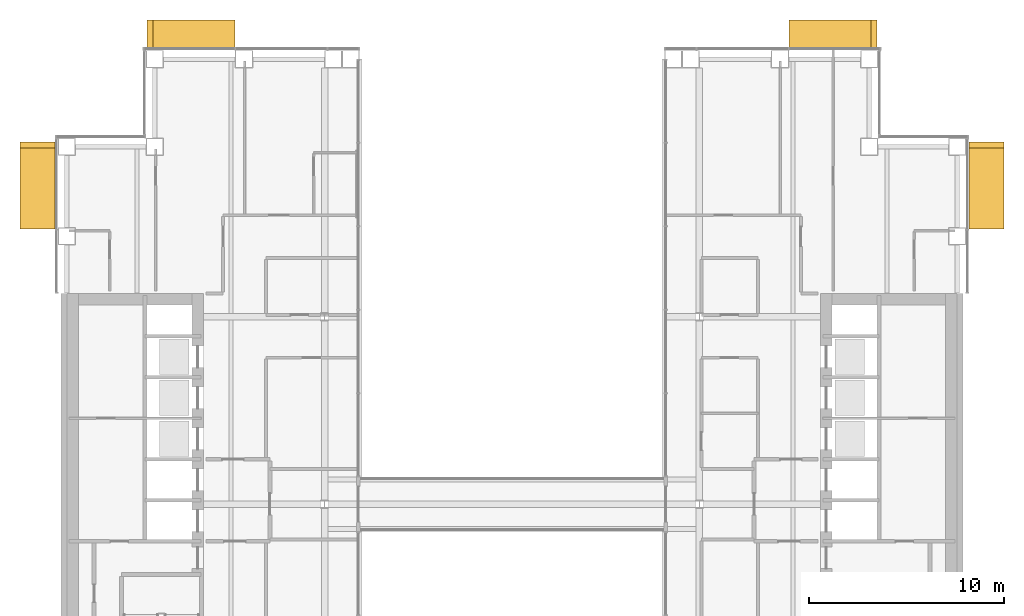
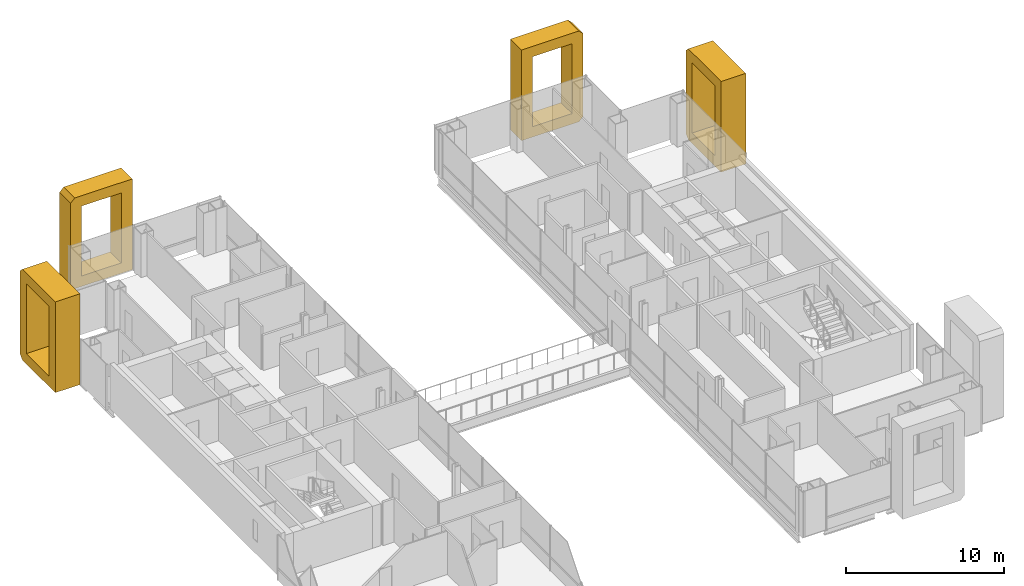
# One storey, part 16 of 17: 4 coverings.
"""IFC4 building model written with IfcOpenShell, lengths in metres."""

from ifc_helpers import new_model, si_unit, direction, frame, origin, place, context, subcontext, project, spatial, polyline, outline, extrude, material, type_object, element, save


model = new_model("IFC4")

# Units and contexts
model_context = context("Model", 3, precision=1e-05, world=origin(), true_north=direction((0.0, 1.0)))
body_context = subcontext(model_context, "Body", "Model", "MODEL_VIEW")
ifc_project = project(units=[si_unit("LENGTHUNIT", "METRE"), si_unit("AREAUNIT", "SQUARE_METRE"), si_unit("VOLUMEUNIT", "CUBIC_METRE"), si_unit("PLANEANGLEUNIT", "RADIAN"), si_unit("MASSUNIT", "GRAM", prefix="KILO")], contexts=[model_context])

# Site, building, storey
site_placement = place(None, origin())
site = spatial("IfcSite", under=ifc_project, at=site_placement, CompositionType="ELEMENT")
building_placement = place(site_placement, origin())
building = spatial("IfcBuilding", under=site, at=building_placement, Name="Cobrizo Arcos Hotel Tower", CompositionType="ELEMENT")
storey_placement = place(building_placement, frame((0.0, 0.0, 131.0)))
storey = spatial("IfcBuildingStorey", under=building, at=storey_placement, Name="L33", CompositionType="ELEMENT", Elevation=131.0)

# Coverings
ifc_material = material(Name="Aluminium 6063-T6 anodised bronze", Category="aluminium")
covering_type_1 = type_object("IfcCoveringType", Name="FIN-F 1400", PredefinedType="CLADDING", material=ifc_material)
covering_1_placement = place(storey_placement, frame((18.699951171875, 23.39990234375, 0.0), z_axis=(0.0, 1.0, 0.0), x_axis=(-1.0, 0.0, 0.0)))
element("IfcCovering", 1, at=covering_1_placement, inside=storey, type_object=covering_type_1, Name="Fin frame 104", PredefinedType="CLADDING", context=body_context, shape_type="SweptSolid", body=[
    extrude(outline(polyline([(0.0, 0.300048828125), (0.300048828125, 0.0), (4.5, 0.0), (4.5, 7.0), (0.300048828125, 7.0), (0.0, 6.699951171875), (0.0, 0.300048828125)]), holes=[polyline([(3.699951171875, 0.800048828125), (0.800048828125, 0.800048828125), (0.800048828125, 6.199951171875), (3.699951171875, 6.199951171875), (3.699951171875, 0.800048828125)])]), origin(), (0.0, 0.0, 1.0), 1.400146484375),
])
covering_2_placement = place(storey_placement, frame((-14.199951171875, 23.39990234375, 0.0), z_axis=(0.0, 1.0, 0.0), x_axis=(-1.0, 0.0, 0.0)))
element("IfcCovering", 2, at=covering_2_placement, inside=storey, type_object=covering_type_1, Name="Fin frame 105", PredefinedType="CLADDING", context=body_context, shape_type="SweptSolid", body=[
    extrude(outline(polyline([(0.0, 7.0), (0.0, 0.0), (4.199951171875, 0.0), (4.5, 0.300048828125), (4.5, 6.699951171875), (4.199951171875, 7.0), (0.0, 7.0)]), holes=[polyline([(3.699951171875, 0.800048828125), (0.800048828125, 0.800048828125), (0.800048828125, 6.199951171875), (3.699951171875, 6.199951171875), (3.699951171875, 0.800048828125)])]), origin(), (0.0, 0.0, 1.0), 1.400146484375),
])
covering_type_2 = type_object("IfcCoveringType", Name="FIN-F 1800", PredefinedType="CLADDING", material=ifc_material)
covering_3_placement = place(storey_placement, frame((23.39990234375, 14.08740234375, 0.0), z_axis=(1.0, 0.0, 0.0), x_axis=(0.0, 1.0, 0.0)))
element("IfcCovering", 3, at=covering_3_placement, inside=storey, type_object=covering_type_2, Name="Fin frame 127", PredefinedType="CLADDING", context=body_context, shape_type="SweptSolid", body=[
    extrude(outline(polyline([(0.0, 7.0), (0.0, 0.0), (4.16259765625, 0.0), (4.46240234375, 0.300048828125), (4.46240234375, 6.699951171875), (4.16259765625, 7.0), (0.0, 7.0)]), holes=[polyline([(3.66259765625, 0.800048828125), (0.800048828125, 0.800048828125), (0.800048828125, 6.199951171875), (3.66259765625, 6.199951171875), (3.66259765625, 0.800048828125)])]), origin(), (0.0, 0.0, 1.0), 1.800048828125),
])
covering_4_placement = place(storey_placement, frame((-23.39990234375, 18.550048828125, 0.0), z_axis=(-1.0, 0.0, 0.0), x_axis=(0.0, -1.0, 0.0)))
element("IfcCovering", 4, at=covering_4_placement, inside=storey, type_object=covering_type_2, Name="Fin frame 169", PredefinedType="CLADDING", context=body_context, shape_type="SweptSolid", body=[
    extrude(outline(polyline([(0.0, 0.300048828125), (0.300048828125, 0.0), (4.46240234375, 0.0), (4.46240234375, 7.0), (0.300048828125, 7.0), (0.0, 6.699951171875), (0.0, 0.300048828125)]), holes=[polyline([(3.66259765625, 0.800048828125), (0.800048828125, 0.800048828125), (0.800048828125, 6.199951171875), (3.66259765625, 6.199951171875), (3.66259765625, 0.800048828125)])]), origin(), (0.0, 0.0, 1.0), 1.800048828125),
])

save(model, "model.ifc")
